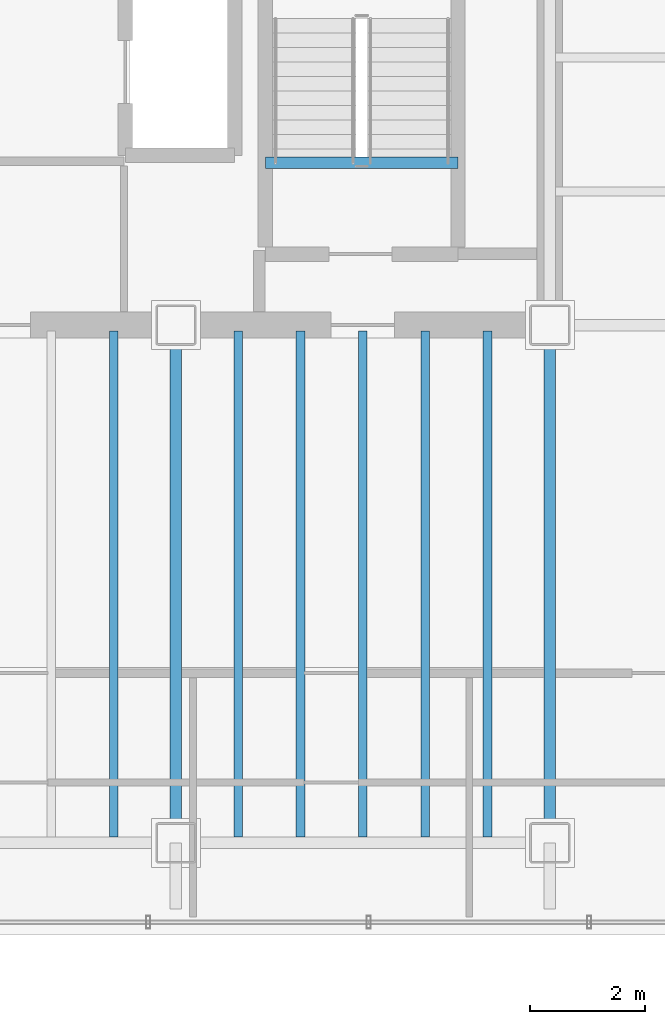
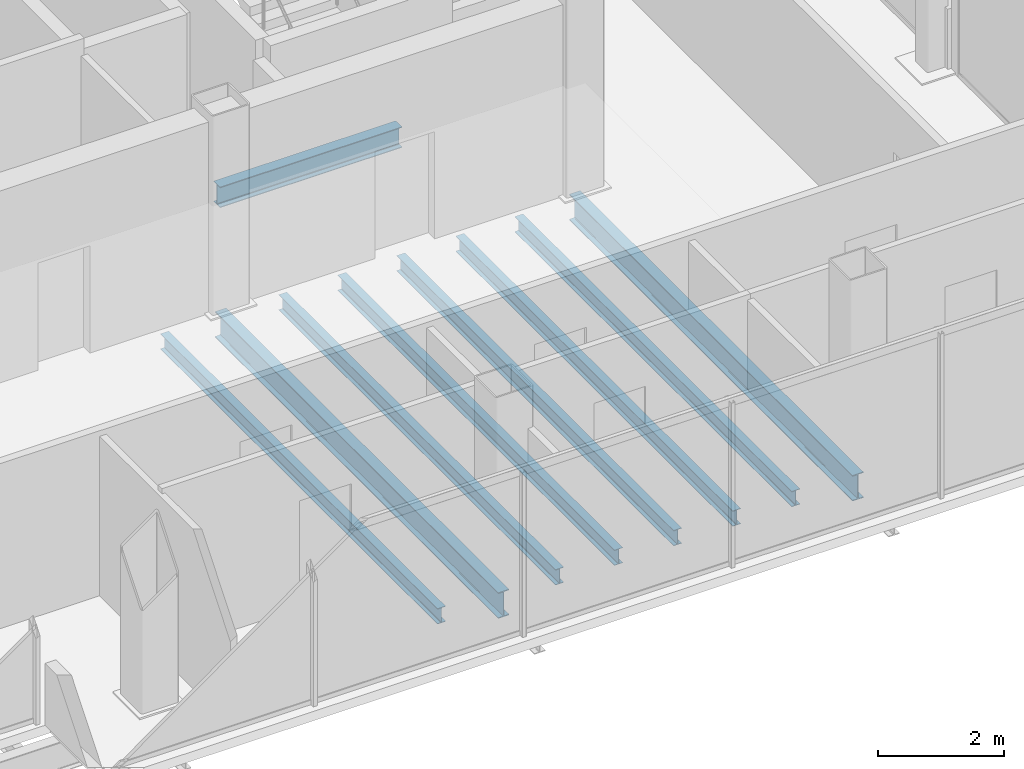
# One storey, part 8 of 17: 9 beams.
"""IFC4 building model written with IfcOpenShell, lengths in metres."""

from ifc_helpers import new_model, si_unit, direction, frame, origin, origin_2d, place, context, subcontext, project, spatial, i_section, extrude, material, material_profile, profile_set, type_object, element, save


model = new_model("IFC4")

# Units and contexts
model_context = context("Model", 3, precision=1e-05, world=origin(), true_north=direction((0.0, 1.0)))
body_context = subcontext(model_context, "Body", "Model", "MODEL_VIEW")
ifc_project = project(units=[si_unit("LENGTHUNIT", "METRE"), si_unit("AREAUNIT", "SQUARE_METRE"), si_unit("VOLUMEUNIT", "CUBIC_METRE"), si_unit("PLANEANGLEUNIT", "RADIAN"), si_unit("MASSUNIT", "GRAM", prefix="KILO")], contexts=[model_context])

# Site, building, storey
site_placement = place(None, origin())
site = spatial("IfcSite", under=ifc_project, at=site_placement, CompositionType="ELEMENT")
building_placement = place(site_placement, origin())
building = spatial("IfcBuilding", under=site, at=building_placement, Name="Noeulbin Bourse Tower", CompositionType="ELEMENT")
storey_placement = place(building_placement, frame((0.0, 0.0, 296.89990234375)))
storey = spatial("IfcBuildingStorey", under=building, at=storey_placement, Name="L74", CompositionType="ELEMENT", Elevation=296.89990234375)

# Beams
ifc_material = material(Name="Steel S355", Category="steel")
ifc_material_profile_1 = material_profile(ifc_material, i_section(OverallWidth=0.199951171875, OverallDepth=0.5, WebThickness=0.010009765625, FlangeThickness=0.01611328125, FilletRadius=0.02001953125, at=origin_2d()), Name="H-500x200x10x16", Category="LoadBearing")
ifc_profile_set_1 = profile_set([ifc_material_profile_1], Name="Steel S355")
beam_type_1 = type_object("IfcBeamType", Name="BM-GRD-500", PredefinedType="USERDEFINED", material=ifc_profile_set_1)
for number, where, z_axis, x_axis, name in (
    (1, (37.5, 20.0, -0.429931640625), (0.0, 1.0, 0.0), (-1.0, 0.0, 0.0), "Tower Primary Girder NS L74-4.2"),
    (2, (44.0, 20.0, -0.429931640625), (0.0, 1.0, 0.0), (-1.0, 0.0, 0.0), "Tower Primary Girder NS L74-5.2"),
):
    element("IfcBeam", number, at=place(storey_placement, frame(where, z_axis=z_axis, x_axis=x_axis)), inside=storey, type_object=beam_type_1, Name=name, ObjectType="GIRDER", PredefinedType="USERDEFINED", context=body_context, shape_type="SweptSolid", body=[
        extrude(i_section(OverallWidth=0.199951171875, OverallDepth=0.5, WebThickness=0.010009765625, FlangeThickness=0.01611328125, FilletRadius=0.02001953125, at=origin_2d()), origin(), (0.0, 0.0, 1.0), 9.0),
    ])
ifc_material_profile_2 = material_profile(ifc_material, i_section(OverallWidth=0.14990234375, OverallDepth=0.300048828125, WebThickness=0.006591796875, FlangeThickness=0.009033203125, FilletRadius=0.012939453125, at=origin_2d()), Name="H-300x150x6.5x9", Category="LoadBearing")
ifc_profile_set_2 = profile_set([ifc_material_profile_2], Name="Steel S355")
beam_type_2 = type_object("IfcBeamType", Name="BM-JST-300", PredefinedType="JOIST", material=ifc_profile_set_2)
for number, where, z_axis, x_axis, name in (
    (3, (36.416748046875, 20.10009765625, -0.329833984375), (0.0, 1.0, 0.0), (-1.0, 0.0, 0.0), "Tower Composite Joist L74-19"),
    (4, (38.583251953125, 20.10009765625, -0.329833984375), (0.0, 1.0, 0.0), (-1.0, 0.0, 0.0), "Tower Composite Joist L74-21"),
    (5, (39.666748046875, 20.10009765625, -0.329833984375), (0.0, 1.0, 0.0), (-1.0, 0.0, 0.0), "Tower Composite Joist L74-23"),
    (6, (40.75, 20.10009765625, -0.329833984375), (0.0, 1.0, 0.0), (-1.0, 0.0, 0.0), "Tower Composite Joist L74-25"),
    (7, (41.833251953125, 20.10009765625, -0.329833984375), (0.0, 1.0, 0.0), (-1.0, 0.0, 0.0), "Tower Composite Joist L74-27"),
    (8, (42.916748046875, 20.10009765625, -0.329833984375), (0.0, 1.0, 0.0), (-1.0, 0.0, 0.0), "Tower Composite Joist L74-29"),
):
    element("IfcBeam", number, at=place(storey_placement, frame(where, z_axis=z_axis, x_axis=x_axis)), inside=storey, type_object=beam_type_2, Name=name, PredefinedType="JOIST", context=body_context, shape_type="SweptSolid", body=[
        extrude(i_section(OverallWidth=0.14990234375, OverallDepth=0.300048828125, WebThickness=0.006591796875, FlangeThickness=0.009033203125, FilletRadius=0.012939453125, at=origin_2d()), origin(), (0.0, 0.0, 1.0), 8.7998046875),
    ])
ifc_material_profile_3 = material_profile(ifc_material, i_section(OverallWidth=0.199951171875, OverallDepth=0.39990234375, WebThickness=0.008056640625, FlangeThickness=0.012939453125, FilletRadius=0.01611328125, at=origin_2d()), Name="H-400x200x8x13", Category="LoadBearing")
ifc_profile_set_3 = profile_set([ifc_material_profile_3], Name="Steel S355")
beam_type_3 = type_object("IfcBeamType", Name="BM-SEC-400", PredefinedType="BEAM", material=ifc_profile_set_3)
beam_placement = place(storey_placement, frame((39.06005859375, 31.820068359375, -0.199951171875), z_axis=(1.0, 0.0, 0.0), x_axis=(0.0, 1.0, 0.0)))
element("IfcBeam", 9, at=beam_placement, inside=storey, type_object=beam_type_3, Name="Stair Threshold Trimmer Beam ST2-L74", PredefinedType="BEAM", context=body_context, shape_type="SweptSolid", body=[
    extrude(i_section(OverallWidth=0.199951171875, OverallDepth=0.39990234375, WebThickness=0.008056640625, FlangeThickness=0.012939453125, FilletRadius=0.01611328125, at=origin_2d()), origin(), (0.0, 0.0, 1.0), 3.33984375),
])

save(model, "model.ifc")
